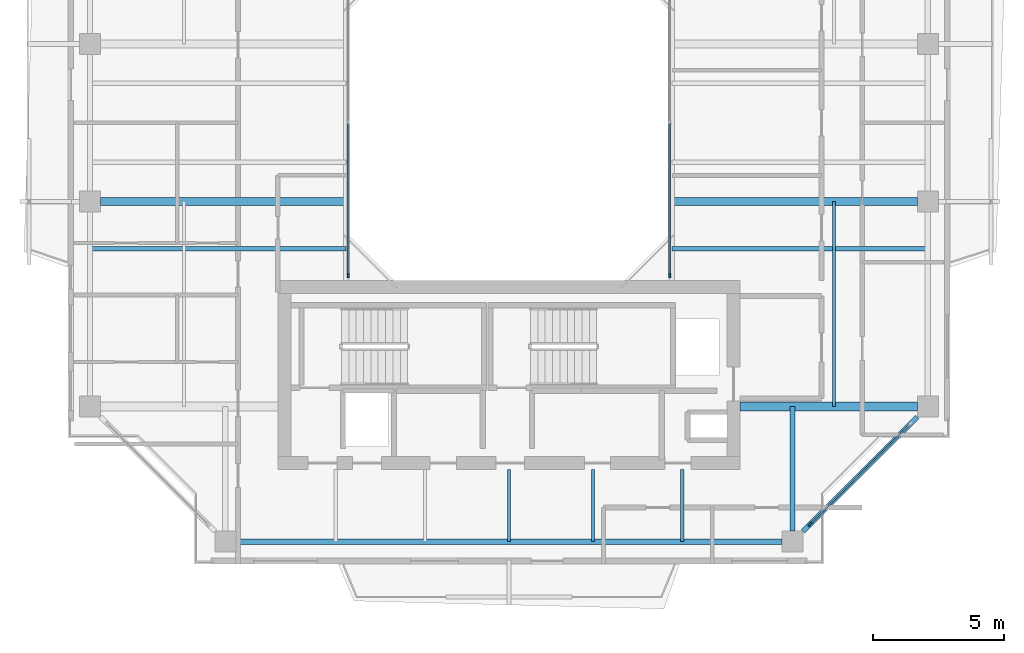
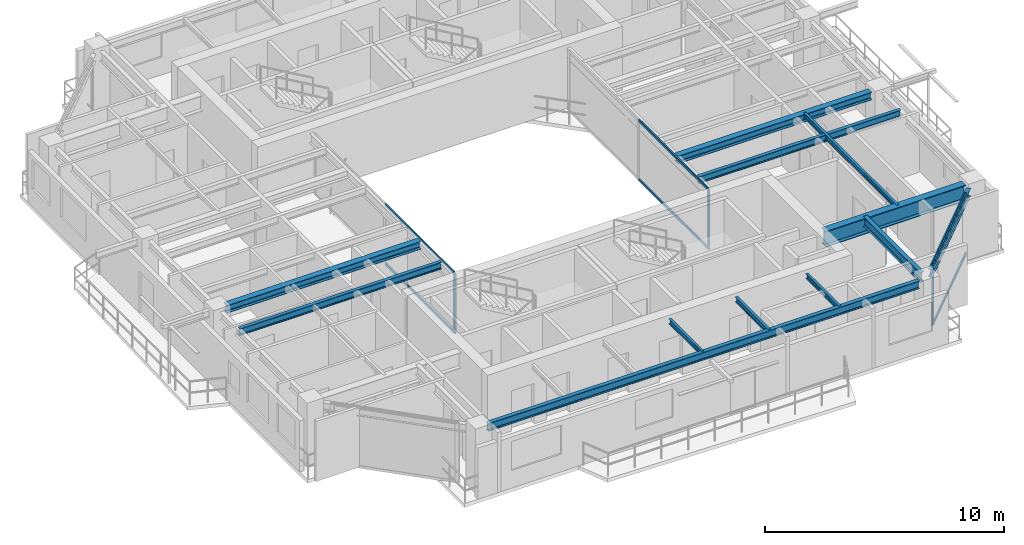
# One storey, part 4 of 16: 12 beams, 9 members, 3 elements without a shape of their own.
"""IFC4 building model written with IfcOpenShell, lengths in metres."""

import ifcopenshell
import ifcopenshell.guid

model = None  # the IFC model being written
_history = None  # IfcOwnerHistory: only IFC2X3 demands one
_inside = {}  # id of a spatial element -> (the spatial element, [elements in it])
_under = {}  # id of a project, library or spatial element -> (it, [spatial elements below it])
_declared = {}  # id of a project -> (the project, [libraries it declares])
_typed = {}  # id of a type object -> (the type object, [elements of that type])
_made_of = {}  # id of a material, layer set ... -> (it, [elements and type objects made of it])


def new_model(schema):
    """Start an empty IFC model of exactly this schema.

    Asked for "IFC4X3", IfcOpenShell would pick the latest addendum, in which some entities
    have other attributes; the version numbers below select the first issue.
    IFC2X3 requires an IfcOwnerHistory on every rooted entity: one is made here for all.
    """
    global model, _history
    if schema == "IFC4X3":
        model = ifcopenshell.file(schema_version=(4, 3, 0, 0))
    else:
        model = ifcopenshell.file(schema=schema)
    _inside.clear()
    _under.clear()
    _declared.clear()
    _typed.clear()
    _made_of.clear()
    _history = None
    if model.schema == "IFC2X3":
        org = make("IfcOrganization", Name="unknown")
        user = make(
            "IfcPersonAndOrganization",
            ThePerson=make("IfcPerson", FamilyName="unknown"),
            TheOrganization=org,
        )
        app = make(
            "IfcApplication",
            ApplicationDeveloper=org,
            Version="unknown",
            ApplicationFullName="unknown",
            ApplicationIdentifier="unknown",
        )
        _history = make(
            "IfcOwnerHistory",
            OwningUser=user,
            OwningApplication=app,
            ChangeAction="ADDED",
            CreationDate=0,
        )
    return model


def make(cls, **values):
    """One entity of the class cls with the attributes given. An attribute that is None is left unset."""
    return model.create_entity(
        cls, **{name: value for name, value in values.items() if value is not None}
    )


def rooted(cls, **values):
    """An entity with a GlobalId (a new one), such as an element, a storey or a relation."""
    return make(cls, GlobalId=ifcopenshell.guid.new(), OwnerHistory=_history, **values)


def si_unit(unit_type, name, prefix=None):
    """IfcSIUnit, for example si_unit("LENGTHUNIT", "METRE", prefix="MILLI")."""
    return make("IfcSIUnit", UnitType=unit_type, Prefix=prefix, Name=name)


def assignment(units):
    """IfcUnitAssignment: the units of a project."""
    return None if units is None else make("IfcUnitAssignment", Units=units)


def point(xyz):
    """IfcCartesianPoint."""
    return None if xyz is None else make("IfcCartesianPoint", Coordinates=xyz)


def direction(xyz):
    """IfcDirection."""
    return None if xyz is None else make("IfcDirection", DirectionRatios=xyz)


def frame(location, z_axis=None, x_axis=None):
    """IfcAxis2Placement3D, a coordinate frame: its origin and axes. An axis left out is left unset."""
    return make(
        "IfcAxis2Placement3D",
        Location=point(location),
        Axis=direction(z_axis),
        RefDirection=direction(x_axis),
    )


def frame_2d(location, x_axis=None):
    """IfcAxis2Placement2D, a coordinate frame in the plane: its origin and x axis."""
    return make(
        "IfcAxis2Placement2D", Location=point(location), RefDirection=direction(x_axis)
    )


def origin():
    """The frame at (0, 0, 0) with its axes left unset."""
    return frame((0.0, 0.0, 0.0))


def origin_2d():
    """The frame at (0, 0) in the plane with its x axis left unset."""
    return frame_2d((0.0, 0.0))


def place(relative_to, where):
    """IfcLocalPlacement: puts the frame where relative to a parent placement (None: the world)."""
    return make(
        "IfcLocalPlacement", PlacementRelTo=relative_to, RelativePlacement=where
    )


def context(
    kind, dimensions, precision=None, world=None, true_north=None, identifier=None
):
    """IfcGeometricRepresentationContext, for example the 3D "Model" context."""
    return make(
        "IfcGeometricRepresentationContext",
        ContextIdentifier=identifier,
        ContextType=kind,
        CoordinateSpaceDimension=dimensions,
        Precision=precision,
        WorldCoordinateSystem=world,
        TrueNorth=true_north,
    )


def subcontext(parent, identifier, kind, view, scale=None):
    """IfcGeometricRepresentationSubContext, for example "Body" below "Model"."""
    return make(
        "IfcGeometricRepresentationSubContext",
        ContextIdentifier=identifier,
        ContextType=kind,
        ParentContext=parent,
        TargetScale=scale,
        TargetView=view,
    )


def project(units=None, contexts=None):
    """IfcProject with its units and contexts."""
    return rooted(
        "IfcProject",
        Name="project",
        RepresentationContexts=contexts,
        UnitsInContext=assignment(units),
    )


def spatial(cls, under=None, at=None, **own):
    """A site, building, storey or space (cls), placed at a placement, below another one or the project."""
    s = rooted(cls, ObjectPlacement=at, **own)
    if under is not None:
        _under.setdefault(under.id(), (under, []))[1].append(s)
    return s


def profile(cls, at=None, kind="AREA", **sizes):
    """A parametric profile (cls). Its sizes go by their IFC names, for example OverallWidth=200.0."""
    return make(cls, ProfileType=kind, Position=at, **sizes)


def rectangle(**sizes):
    """IfcRectangleProfileDef."""
    return profile("IfcRectangleProfileDef", **sizes)


def i_section(**sizes):
    """IfcIShapeProfileDef."""
    return profile("IfcIShapeProfileDef", **sizes)


def extrude(swept, where, along, depth):
    """IfcExtrudedAreaSolid: the profile swept, set in the frame where, extruded along a direction by depth."""
    return make(
        "IfcExtrudedAreaSolid",
        SweptArea=swept,
        Position=where,
        ExtrudedDirection=direction(along),
        Depth=depth,
    )


def shape(context_of_items, identifier, shape_type, items):
    """IfcShapeRepresentation: the items that make up one representation, for example the "Body"."""
    return make(
        "IfcShapeRepresentation",
        ContextOfItems=context_of_items,
        RepresentationIdentifier=identifier,
        RepresentationType=shape_type,
        Items=items,
    )


def source(mapping_origin, context_of_items, identifier, shape_type, items):
    """IfcRepresentationMap: a shape defined once, which mapped items show again and again."""
    return make(
        "IfcRepresentationMap",
        MappingOrigin=mapping_origin,
        MappedRepresentation=shape(context_of_items, identifier, shape_type, items),
    )


def transform(
    local_origin,
    x_axis=None,
    y_axis=None,
    z_axis=None,
    scale=None,
    scale2=None,
    scale3=None,
    uniform=True,
):
    """IfcCartesianTransformationOperator3D, or its non-uniform kind. x_axis, y_axis, z_axis: its Axis1, 2, 3."""
    if uniform:
        return make(
            "IfcCartesianTransformationOperator3D",
            Axis1=direction(x_axis),
            Axis2=direction(y_axis),
            LocalOrigin=point(local_origin),
            Scale=scale,
            Axis3=direction(z_axis),
        )
    return make(
        "IfcCartesianTransformationOperator3DnonUniform",
        Axis1=direction(x_axis),
        Axis2=direction(y_axis),
        LocalOrigin=point(local_origin),
        Scale=scale,
        Axis3=direction(z_axis),
        Scale2=scale2,
        Scale3=scale3,
    )


def mapped(mapping_source, mapping_target):
    """IfcMappedItem: shows the shape of a source again, moved by a transform."""
    return make(
        "IfcMappedItem", MappingSource=mapping_source, MappingTarget=mapping_target
    )


def material(Name=None, Category=None):
    """IfcMaterial."""
    return make("IfcMaterial", Name=Name, Category=Category)


def layer(
    of_material, thickness, ventilated=None, Name=None, Category=None, Priority=None
):
    """IfcMaterialLayer: one layer of a wall or slab, of a material (None: an air gap)."""
    return make(
        "IfcMaterialLayer",
        Material=of_material,
        LayerThickness=thickness,
        IsVentilated=ventilated,
        Name=Name,
        Category=Category,
        Priority=Priority,
    )


def layer_set(layers, Name=None):
    """IfcMaterialLayerSet."""
    return make("IfcMaterialLayerSet", MaterialLayers=layers, LayerSetName=Name)


def material_profile(
    of_material, cross_section, Name=None, Category=None, Priority=None
):
    """IfcMaterialProfile: a cross section and its material."""
    return make(
        "IfcMaterialProfile",
        Name=Name,
        Material=of_material,
        Profile=cross_section,
        Priority=Priority,
        Category=Category,
    )


def profile_set(profiles, Name=None, composite=None):
    """IfcMaterialProfileSet."""
    return make(
        "IfcMaterialProfileSet",
        Name=Name,
        MaterialProfiles=profiles,
        CompositeProfile=composite,
    )


def made_of(thing, what):
    """Note that an element or type object is made of a material, layer set ...; save() writes the relation."""
    if what is not None:
        _made_of.setdefault(what.id(), (what, []))[1].append(thing)
    return thing


def type_object(cls, material=None, **own):
    """A type object (cls), such as IfcWallType, which elements share."""
    return made_of(rooted(cls, **own), material)


def element(
    cls,
    number,
    at=None,
    inside=None,
    cuts=None,
    type_object=None,
    material=None,
    context=None,
    identifier="Body",
    shape_type=None,
    held_by="IfcProductDefinitionShape",
    body=None,
    shapes=None,
    **own,
):
    """One element of the class cls, such as IfcWall. Its Tag is "e" and its number.

    at: its placement. inside: the storey or other place that contains it. cuts: it is an
    opening in that element (IfcRelVoidsElement). A single representation is given by context,
    identifier, shape_type and body (its items); several are given by shapes. held_by: the class
    of the entity that holds the representations. save() writes the other relations.
    """
    e = rooted(cls, Tag="e%d" % number, ObjectPlacement=at, **own)
    if body is not None:
        shapes = [shape(context, identifier, shape_type, body)]
    if shapes is not None:
        e.Representation = make(held_by, Representations=shapes)
    if inside is not None:
        _inside.setdefault(inside.id(), (inside, []))[1].append(e)
    if cuts is not None:
        rooted(
            "IfcRelVoidsElement", RelatingBuildingElement=cuts, RelatedOpeningElement=e
        )
    if type_object is not None:
        _typed.setdefault(type_object.id(), (type_object, []))[1].append(e)
    return made_of(e, material)


def aggregate(whole, parts):
    """IfcRelAggregates: a whole, such as a stair, and the parts it consists of."""
    return rooted("IfcRelAggregates", RelatingObject=whole, RelatedObjects=parts)


def save(model, path):
    """Write the relations noted so far, then the file.

    IfcRelAggregates (storeys below a building ...), IfcRelContainedInSpatialStructure (elements
    in a storey), IfcRelDefinesByType, IfcRelAssociatesMaterial and IfcRelDeclares: one each for
    every whole, place, type object, material and project.
    """
    for whole, parts in _under.values():
        aggregate(whole, parts)
    for where, things in _inside.values():
        rooted(
            "IfcRelContainedInSpatialStructure",
            RelatedElements=things,
            RelatingStructure=where,
        )
    for kind, things in _typed.values():
        rooted("IfcRelDefinesByType", RelatedObjects=things, RelatingType=kind)
    for what, things in _made_of.values():
        rooted("IfcRelAssociatesMaterial", RelatedObjects=things, RelatingMaterial=what)
    for by, libraries in _declared.values():
        rooted("IfcRelDeclares", RelatingContext=by, RelatedDefinitions=libraries)
    model.write(path)


model = new_model("IFC4")

# Units and contexts
model_context = context("Model", 3, precision=1e-05, world=origin(), true_north=direction((0.0, 1.0)))
body_context = subcontext(model_context, "Body", "Model", "MODEL_VIEW")
ifc_project = project(units=[si_unit("LENGTHUNIT", "METRE"), si_unit("AREAUNIT", "SQUARE_METRE"), si_unit("VOLUMEUNIT", "CUBIC_METRE"), si_unit("PLANEANGLEUNIT", "RADIAN"), si_unit("MASSUNIT", "GRAM", prefix="KILO"), si_unit("THERMODYNAMICTEMPERATUREUNIT", "KELVIN"), si_unit("POWERUNIT", "WATT")], contexts=[model_context])

# Site, building, storey
site_placement = place(None, origin())
site = spatial("IfcSite", under=ifc_project, at=site_placement, CompositionType="ELEMENT")
building_placement = place(site_placement, origin())
building = spatial("IfcBuilding", under=site, at=building_placement, Name="Qiaomeng Ring Towers", CompositionType="ELEMENT")
storey_placement = place(building_placement, frame((0.0, 0.0, 216.5)))
storey = spatial("IfcBuildingStorey", under=building, at=storey_placement, Name="L63", CompositionType="ELEMENT", Elevation=216.5)

# Beams
ifc_material_1 = material(Name="Steel Q355B", Category="steel")
ifc_material_profile_1 = material_profile(ifc_material_1, i_section(OverallWidth=0.198974609375, OverallDepth=0.39599609375, WebThickness=0.007080078125, FlangeThickness=0.010986328125, FilletRadius=0.01611328125, at=origin_2d()), Name="HN 396x199x7x11")
ifc_profile_set_1 = profile_set([ifc_material_profile_1], Name="Steel Q355B")
beam_type_1 = type_object("IfcBeamType", Name="STR-BM-HN396", PredefinedType="SPANDREL", material=ifc_profile_set_1)
shared_shape_1 = source(origin(), body_context, "Body", "SweptSolid", [
    extrude(i_section(OverallWidth=0.198974609375, OverallDepth=0.39599609375, WebThickness=0.007080078125, FlangeThickness=0.010986328125, FilletRadius=0.01611328125, at=origin_2d()), origin(), (0.0, 0.0, 1.0), 20.8017578125),
])
beam_1_placement = place(storey_placement, frame((8.59912109375, 7.050048828125, 2.8720703125), z_axis=(1.0, 0.0, 0.0), x_axis=(0.0, 1.0, 0.0)))
element("IfcBeam", 1, at=beam_1_placement, inside=storey, type_object=beam_type_1, Name="L63 beam STR-SP-L63-T1-S1-S2", PredefinedType="SPANDREL", context=body_context, shape_type="MappedRepresentation", body=[
    mapped(shared_shape_1, transform((0.0, 0.0, 0.0), x_axis=(1.0, 0.0, 0.0), y_axis=(0.0, 1.0, 0.0), z_axis=(0.0, 0.0, 1.0), scale=1.0)),
])
shared_shape_2 = source(origin(), body_context, "Body", "SweptSolid", [
    extrude(i_section(OverallWidth=0.198974609375, OverallDepth=0.39599609375, WebThickness=0.007080078125, FlangeThickness=0.010986328125, FilletRadius=0.01611328125, at=origin_2d()), origin(), (0.0, 0.0, 1.0), 6.154052734375),
])
beam_2_placement = place(storey_placement, frame((30.19921875, 7.44921875, 2.8720703125), z_axis=(0.707106781187, 0.707106781187, 0.0), x_axis=(-0.707106781187, 0.707106781187, 0.0)))
element("IfcBeam", 2, at=beam_2_placement, inside=storey, type_object=beam_type_1, Name="L63 beam STR-SP-L63-T1-S2-E1", PredefinedType="SPANDREL", context=body_context, shape_type="MappedRepresentation", body=[
    mapped(shared_shape_2, transform((0.0, 0.0, 0.0), x_axis=(1.0, 0.0, 0.0), y_axis=(0.0, 1.0, 0.0), z_axis=(0.0, 0.0, 1.0), scale=1.0)),
])
ifc_material_2 = material(Name="Steel Q390GJC", Category="steel")
ifc_material_profile_2 = material_profile(ifc_material_2, i_section(OverallWidth=0.35009765625, OverallDepth=0.800048828125, WebThickness=0.01611328125, FlangeThickness=0.028076171875, at=origin_2d()), Name="WH 800x350x16x28")
ifc_profile_set_2 = profile_set([ifc_material_profile_2], Name="Steel Q390GJC")
beam_type_2 = type_object("IfcBeamType", Name="STR-BM-WH800", PredefinedType="BEAM", material=ifc_profile_set_2)
shared_shape_3 = source(origin(), body_context, "Body", "SweptSolid", [
    extrude(i_section(OverallWidth=0.35009765625, OverallDepth=0.800048828125, WebThickness=0.01611328125, FlangeThickness=0.028076171875, at=origin_2d()), origin(), (0.0, 0.0, 1.0), 6.7509765625),
])
beam_3_placement = place(storey_placement, frame((27.800048828125, 12.199951171875, 2.669921875), z_axis=(1.0, 0.0, 0.0), x_axis=(0.0, 1.0, 0.0)))
element("IfcBeam", 3, at=beam_3_placement, inside=storey, type_object=beam_type_2, Name="L63 beam STR-BM-L63-T1-RAD-E1", PredefinedType="BEAM", context=body_context, shape_type="MappedRepresentation", body=[
    mapped(shared_shape_3, transform((0.0, 0.0, 0.0), x_axis=(1.0, 0.0, 0.0), y_axis=(0.0, 1.0, 0.0), z_axis=(0.0, 0.0, 1.0), scale=1.0)),
])
ifc_material_profile_3 = material_profile(ifc_material_1, i_section(OverallWidth=0.300048828125, OverallDepth=0.389892578125, WebThickness=0.010009765625, FlangeThickness=0.01611328125, FilletRadius=0.02197265625, at=origin_2d()), Name="HM 390x300x10x16")
ifc_profile_set_3 = profile_set([ifc_material_profile_3], Name="Steel Q355B")
beam_type_3 = type_object("IfcBeamType", Name="STR-BM-HM390", PredefinedType="BEAM", material=ifc_profile_set_3)
shared_shape_4 = source(origin(), body_context, "Body", "SweptSolid", [
    extrude(i_section(OverallWidth=0.300048828125, OverallDepth=0.389892578125, WebThickness=0.010009765625, FlangeThickness=0.01611328125, FilletRadius=0.02197265625, at=origin_2d()), origin(), (0.0, 0.0, 1.0), 9.35107421875),
])
for number, where, z_axis, x_axis, name in (
    (4, (3.448974609375, 20.0, 2.875), (1.0, 0.0, 0.0), (0.0, 1.0, 0.0), "L63 beam STR-BM-L63-T1-RAD-W2"),
    (5, (25.199951171875, 20.0, 2.875), (1.0, 0.0, 0.0), (0.0, 1.0, 0.0), "L63 beam STR-BM-L63-T1-RAD-E2"),
):
    element("IfcBeam", number, at=place(storey_placement, frame(where, z_axis=z_axis, x_axis=x_axis)), inside=storey, type_object=beam_type_3, Name=name, PredefinedType="BEAM", context=body_context, shape_type="MappedRepresentation", body=[
        mapped(shared_shape_4, transform((0.0, 0.0, 0.0), x_axis=(1.0, 0.0, 0.0), y_axis=(0.0, 1.0, 0.0), z_axis=(0.0, 0.0, 1.0), scale=1.0)),
    ])
ifc_material_profile_4 = material_profile(ifc_material_1, i_section(OverallWidth=0.125, OverallDepth=0.25, WebThickness=0.006103515625, FlangeThickness=0.009033203125, FilletRadius=0.011962890625, at=origin_2d()), Name="HN 250x125x6x9")
ifc_profile_set_4 = profile_set([ifc_material_profile_4], Name="Steel Q355B")
beam_type_4 = type_object("IfcBeamType", Name="STR-BM-HN250", PredefinedType="JOIST", material=ifc_profile_set_4)
shared_shape_5 = source(origin(), body_context, "Body", "SweptSolid", [
    extrude(i_section(OverallWidth=0.125, OverallDepth=0.25, WebThickness=0.006103515625, FlangeThickness=0.009033203125, FilletRadius=0.011962890625, at=origin_2d()), origin(), (0.0, 0.0, 1.0), 2.75),
])
for number, where, z_axis, x_axis, name in (
    (6, (19.0, 7.050048828125, 2.945068359375), (0.0, 1.0, 0.0), (-1.0, 0.0, 0.0), "L63 beam STR-JST-L63-T1S-3"),
    (7, (22.199951171875, 7.050048828125, 2.945068359375), (0.0, 1.0, 0.0), (-1.0, 0.0, 0.0), "L63 beam STR-JST-L63-T1S-4"),
    (8, (25.60009765625, 7.050048828125, 2.945068359375), (0.0, 1.0, 0.0), (-1.0, 0.0, 0.0), "L63 beam STR-JST-L63-T1S-5"),
):
    element("IfcBeam", number, at=place(storey_placement, frame(where, z_axis=z_axis, x_axis=x_axis)), inside=storey, type_object=beam_type_4, Name=name, PredefinedType="JOIST", context=body_context, shape_type="MappedRepresentation", body=[
        mapped(shared_shape_5, transform((0.0, 0.0, 0.0), x_axis=(1.0, 0.0, 0.0), y_axis=(0.0, 1.0, 0.0), z_axis=(0.0, 0.0, 1.0), scale=1.0)),
    ])
ifc_material_profile_5 = material_profile(ifc_material_1, i_section(OverallWidth=0.175048828125, OverallDepth=0.35009765625, WebThickness=0.007080078125, FlangeThickness=0.010986328125, FilletRadius=0.013916015625, at=origin_2d()), Name="HN 350x175x7x11")
ifc_profile_set_5 = profile_set([ifc_material_profile_5], Name="Steel Q355B")
beam_type_5 = type_object("IfcBeamType", Name="STR-BM-HN350", PredefinedType="JOIST", material=ifc_profile_set_5)
shared_shape_6 = source(origin(), body_context, "Body", "SweptSolid", [
    extrude(i_section(OverallWidth=0.175048828125, OverallDepth=0.35009765625, WebThickness=0.007080078125, FlangeThickness=0.010986328125, FilletRadius=0.013916015625, at=origin_2d()), origin(), (0.0, 0.0, 1.0), 9.75),
])
for number, where, z_axis, x_axis, name in (
    (9, (3.050048828125, 18.199951171875, 2.89501953125), (1.0, 0.0, 0.0), (0.0, 1.0, 0.0), "L63 beam STR-JST-L63-T1W-1"),
    (10, (25.199951171875, 18.199951171875, 2.89501953125), (1.0, 0.0, 0.0), (0.0, 1.0, 0.0), "L63 beam STR-JST-L63-T1E-1"),
):
    element("IfcBeam", number, at=place(storey_placement, frame(where, z_axis=z_axis, x_axis=x_axis)), inside=storey, type_object=beam_type_5, Name=name, PredefinedType="JOIST", context=body_context, shape_type="MappedRepresentation", body=[
        mapped(shared_shape_6, transform((0.0, 0.0, 0.0), x_axis=(1.0, 0.0, 0.0), y_axis=(0.0, 1.0, 0.0), z_axis=(0.0, 0.0, 1.0), scale=1.0)),
    ])
shared_shape_7 = source(origin(), body_context, "Body", "SweptSolid", [
    extrude(i_section(OverallWidth=0.125, OverallDepth=0.25, WebThickness=0.006103515625, FlangeThickness=0.009033203125, FilletRadius=0.011962890625, at=origin_2d()), origin(), (0.0, 0.0, 1.0), 7.800048828125),
])
beam_4_placement = place(storey_placement, frame((31.375, 12.199951171875, 2.945068359375), z_axis=(0.0, 1.0, 0.0), x_axis=(-1.0, 0.0, 0.0)))
element("IfcBeam", 11, at=beam_4_placement, inside=storey, type_object=beam_type_4, Name="L63 beam STR-JST-L63-T1C-ES", PredefinedType="JOIST", context=body_context, shape_type="MappedRepresentation", body=[
    mapped(shared_shape_7, transform((0.0, 0.0, 0.0), x_axis=(1.0, 0.0, 0.0), y_axis=(0.0, 1.0, 0.0), z_axis=(0.0, 0.0, 1.0), scale=1.0)),
])
ifc_material_profile_6 = material_profile(ifc_material_1, i_section(OverallWidth=0.198974609375, OverallDepth=0.49609375, WebThickness=0.009033203125, FlangeThickness=0.013916015625, FilletRadius=0.01806640625, at=origin_2d()), Name="HN 496x199x9x14")
ifc_profile_set_6 = profile_set([ifc_material_profile_6], Name="Steel Q355B")
beam_type_6 = type_object("IfcBeamType", Name="STR-BM-HN496", PredefinedType="BEAM", material=ifc_profile_set_6)
shared_shape_8 = source(origin(), body_context, "Body", "SweptSolid", [
    extrude(i_section(OverallWidth=0.198974609375, OverallDepth=0.49609375, WebThickness=0.009033203125, FlangeThickness=0.013916015625, FilletRadius=0.01806640625, at=origin_2d()), origin(), (0.0, 0.0, 1.0), 4.7509765625),
])
beam_5_placement = place(storey_placement, frame((29.800048828125, 7.448974609375, 2.822021484375), z_axis=(0.0, 1.0, 0.0), x_axis=(-1.0, 0.0, 0.0)))
element("IfcBeam", 12, at=beam_5_placement, inside=storey, type_object=beam_type_6, Name="L63 beam STR-BM-L63-T1-RAD-S2", PredefinedType="BEAM", context=body_context, shape_type="MappedRepresentation", body=[
    mapped(shared_shape_8, transform((0.0, 0.0, 0.0), x_axis=(1.0, 0.0, 0.0), y_axis=(0.0, 1.0, 0.0), z_axis=(0.0, 0.0, 1.0), scale=1.0)),
])

# Curtain wall, member
ifc_material_3 = material(Name="Fluorocarbon dark-grey aluminium", Category="aluminium")
ifc_layer_1 = layer(ifc_material_3, 0.139892578125, Name="Fluorocarbon dark-grey aluminium")
ifc_layer_set_1 = layer_set([ifc_layer_1], Name="Fluorocarbon dark-grey aluminium")
curtain_wall_type_1 = type_object("IfcCurtainWallType", Name="ARC-CW-4", PredefinedType="NOTDEFINED", material=ifc_layer_set_1)
curtain_wall_1_placement = place(storey_placement, origin())
curtain_wall_1 = element("IfcCurtainWall", 13, at=curtain_wall_1_placement, inside=storey, type_object=curtain_wall_type_1, Name="L63 Curtain Wall CW4", PredefinedType="NOTDEFINED")
ifc_material_profile_7 = material_profile(ifc_material_3, rectangle(XDim=0.06494140625, YDim=0.159912109375, at=origin_2d()), Name="ALU MULL 65x160")
ifc_profile_set_7 = profile_set([ifc_material_profile_7], Name="Fluorocarbon dark-grey aluminium")
member_type_1 = type_object("IfcMemberType", Name="ARC-CWM-140", PredefinedType="MULLION", material=ifc_profile_set_7)
shared_shape_9 = source(origin(), body_context, "Body", "SweptSolid", [
    extrude(rectangle(XDim=0.06494140625, YDim=0.159912109375, at=origin_2d()), origin(), (0.0, 0.0, 1.0), 3.070068359375),
])
member_1_placement = place(storey_placement, frame((12.8798828125, 17.1826171875, 0.0), z_axis=(0.0, 0.0, 1.0), x_axis=(-1.0, 0.0, 0.0)))
member_1 = element("IfcMember", 14, at=member_1_placement, type_object=member_type_1, Name="CW4 mullion 1", PredefinedType="MULLION", context=body_context, shape_type="MappedRepresentation", body=[
    mapped(shared_shape_9, transform((0.0, 0.0, 0.0), x_axis=(1.0, 0.0, 0.0), y_axis=(0.0, 1.0, 0.0), z_axis=(0.0, 0.0, 1.0), scale=1.0)),
])

curtain_wall_2_placement = place(storey_placement, origin())
curtain_wall_2 = element("IfcCurtainWall", 15, at=curtain_wall_2_placement, inside=storey, type_object=curtain_wall_type_1, Name="L63 Curtain Wall CW4", PredefinedType="NOTDEFINED")
member_2_placement = place(storey_placement, frame((25.1201171875, 17.1826171875, 0.0), z_axis=(0.0, 0.0, 1.0), x_axis=(-1.0, 0.0, 0.0)))
member_2 = element("IfcMember", 16, at=member_2_placement, type_object=member_type_1, Name="CW4 mullion 1", PredefinedType="MULLION", context=body_context, shape_type="MappedRepresentation", body=[
    mapped(shared_shape_9, transform((0.0, 0.0, 0.0), x_axis=(1.0, 0.0, 0.0), y_axis=(0.0, 1.0, 0.0), z_axis=(0.0, 0.0, 1.0), scale=1.0)),
])

# Member
ifc_material_profile_8 = material_profile(ifc_material_3, rectangle(XDim=0.06494140625, YDim=0.1298828125, at=origin_2d()), Name="ALU TRAN 65x130")
ifc_profile_set_8 = profile_set([ifc_material_profile_8], Name="Fluorocarbon dark-grey aluminium")
member_type_2 = type_object("IfcMemberType", Name="ARC-CWT-120", PredefinedType="USERDEFINED", material=ifc_profile_set_8)
shared_shape_10 = source(origin(), body_context, "Body", "SweptSolid", [
    extrude(rectangle(XDim=0.06494140625, YDim=0.1298828125, at=origin_2d()), origin(), (0.0, 0.0, 1.0), 5.75244140625),
])
member_3_placement = place(storey_placement, frame((12.8798828125, 17.215087890625, 0.032470703125), z_axis=(0.0, 1.0, 0.0), x_axis=(-1.0, 0.0, 0.0)))
member_3 = element("IfcMember", 17, at=member_3_placement, type_object=member_type_2, Name="CW4 transom 1.1", ObjectType="TRANSOM", PredefinedType="USERDEFINED", context=body_context, shape_type="MappedRepresentation", body=[
    mapped(shared_shape_10, transform((0.0, 0.0, 0.0), x_axis=(1.0, 0.0, 0.0), y_axis=(0.0, 1.0, 0.0), z_axis=(0.0, 0.0, 1.0), scale=1.0)),
])

member_4_placement = place(storey_placement, frame((12.8798828125, 17.215087890625, 3.03759765625), z_axis=(0.0, 1.0, 0.0), x_axis=(-1.0, 0.0, 0.0)))
member_4 = element("IfcMember", 18, at=member_4_placement, type_object=member_type_2, Name="CW4 transom 1.2", ObjectType="TRANSOM", PredefinedType="USERDEFINED", context=body_context, shape_type="MappedRepresentation", body=[
    mapped(shared_shape_10, transform((0.0, 0.0, 0.0), x_axis=(1.0, 0.0, 0.0), y_axis=(0.0, 1.0, 0.0), z_axis=(0.0, 0.0, 1.0), scale=1.0)),
])

aggregate(curtain_wall_1, [member_1, member_3, member_4])

member_5_placement = place(storey_placement, frame((25.1201171875, 17.215087890625, 0.032470703125), z_axis=(0.0, 1.0, 0.0), x_axis=(-1.0, 0.0, 0.0)))
member_5 = element("IfcMember", 19, at=member_5_placement, type_object=member_type_2, Name="CW4 transom 1.1", ObjectType="TRANSOM", PredefinedType="USERDEFINED", context=body_context, shape_type="MappedRepresentation", body=[
    mapped(shared_shape_10, transform((0.0, 0.0, 0.0), x_axis=(1.0, 0.0, 0.0), y_axis=(0.0, 1.0, 0.0), z_axis=(0.0, 0.0, 1.0), scale=1.0)),
])

member_6_placement = place(storey_placement, frame((25.1201171875, 17.215087890625, 3.03759765625), z_axis=(0.0, 1.0, 0.0), x_axis=(-1.0, 0.0, 0.0)))
member_6 = element("IfcMember", 20, at=member_6_placement, type_object=member_type_2, Name="CW4 transom 1.2", ObjectType="TRANSOM", PredefinedType="USERDEFINED", context=body_context, shape_type="MappedRepresentation", body=[
    mapped(shared_shape_10, transform((0.0, 0.0, 0.0), x_axis=(1.0, 0.0, 0.0), y_axis=(0.0, 1.0, 0.0), z_axis=(0.0, 0.0, 1.0), scale=1.0)),
])

aggregate(curtain_wall_2, [member_2, member_5, member_6])

# Curtain wall, members
ifc_layer_2 = layer(ifc_material_3, 0.14990234375, Name="Fluorocarbon dark-grey aluminium")
ifc_layer_set_2 = layer_set([ifc_layer_2], Name="Fluorocarbon dark-grey aluminium")
curtain_wall_type_2 = type_object("IfcCurtainWallType", Name="ARC-CW-3", PredefinedType="NOTDEFINED", material=ifc_layer_set_2)
curtain_wall_3_placement = place(storey_placement, origin())
curtain_wall_3 = element("IfcCurtainWall", 21, at=curtain_wall_3_placement, inside=storey, type_object=curtain_wall_type_2, Name="L63 Curtain Wall CW3", PredefinedType="NOTDEFINED")
ifc_material_profile_9 = material_profile(ifc_material_3, rectangle(XDim=0.070068359375, YDim=0.179931640625, at=origin_2d()), Name="ALU MULL 70x180")
ifc_profile_set_9 = profile_set([ifc_material_profile_9], Name="Fluorocarbon dark-grey aluminium")
member_type_3 = type_object("IfcMemberType", Name="ARC-CWM-160", PredefinedType="MULLION", material=ifc_profile_set_9)
shared_shape_11 = source(origin(), body_context, "Body", "SweptSolid", [
    extrude(rectangle(XDim=0.070068359375, YDim=0.179931640625, at=origin_2d()), origin(), (0.0, 0.0, 1.0), 3.070068359375),
])
member_7_placement = place(storey_placement, frame((30.46484375, 7.71484375, 0.0), z_axis=(0.0, 0.0, 1.0), x_axis=(-0.707106781187, 0.707106781187, 0.0)))
member_7 = element("IfcMember", 22, at=member_7_placement, type_object=member_type_3, Name="CW3 mullion 1", PredefinedType="MULLION", context=body_context, shape_type="MappedRepresentation", body=[
    mapped(shared_shape_11, transform((0.0, 0.0, 0.0), x_axis=(1.0, 0.0, 0.0), y_axis=(0.0, 1.0, 0.0), z_axis=(0.0, 0.0, 1.0), scale=1.0)),
])
shared_shape_12 = source(origin(), body_context, "Body", "SweptSolid", [
    extrude(rectangle(XDim=0.06494140625, YDim=0.1298828125, at=origin_2d()), origin(), (0.0, 0.0, 1.0), 5.3330078125),
])
member_8_placement = place(storey_placement, frame((30.489501953125, 7.739501953125, 0.032470703125), z_axis=(0.707106781187, 0.707106781187, 0.0), x_axis=(-0.707106781187, 0.707106781187, 0.0)))
member_8 = element("IfcMember", 23, at=member_8_placement, type_object=member_type_2, Name="CW3 transom 1.1", ObjectType="TRANSOM", PredefinedType="USERDEFINED", context=body_context, shape_type="MappedRepresentation", body=[
    mapped(shared_shape_12, transform((0.0, 0.0, 0.0), x_axis=(1.0, 0.0, 0.0), y_axis=(0.0, 1.0, 0.0), z_axis=(0.0, 0.0, 1.0), scale=1.0)),
])
member_9_placement = place(storey_placement, frame((30.489501953125, 7.739501953125, 3.03759765625), z_axis=(0.707106781187, 0.707106781187, 0.0), x_axis=(-0.707106781187, 0.707106781187, 0.0)))
member_9 = element("IfcMember", 24, at=member_9_placement, type_object=member_type_2, Name="CW3 transom 1.2", ObjectType="TRANSOM", PredefinedType="USERDEFINED", context=body_context, shape_type="MappedRepresentation", body=[
    mapped(shared_shape_12, transform((0.0, 0.0, 0.0), x_axis=(1.0, 0.0, 0.0), y_axis=(0.0, 1.0, 0.0), z_axis=(0.0, 0.0, 1.0), scale=1.0)),
])
aggregate(curtain_wall_3, [member_7, member_8, member_9])

save(model, "model.ifc")
